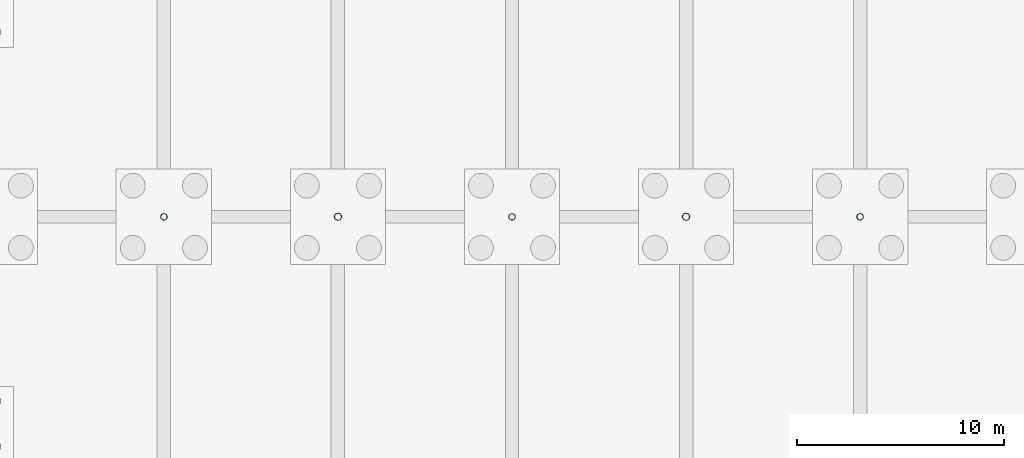
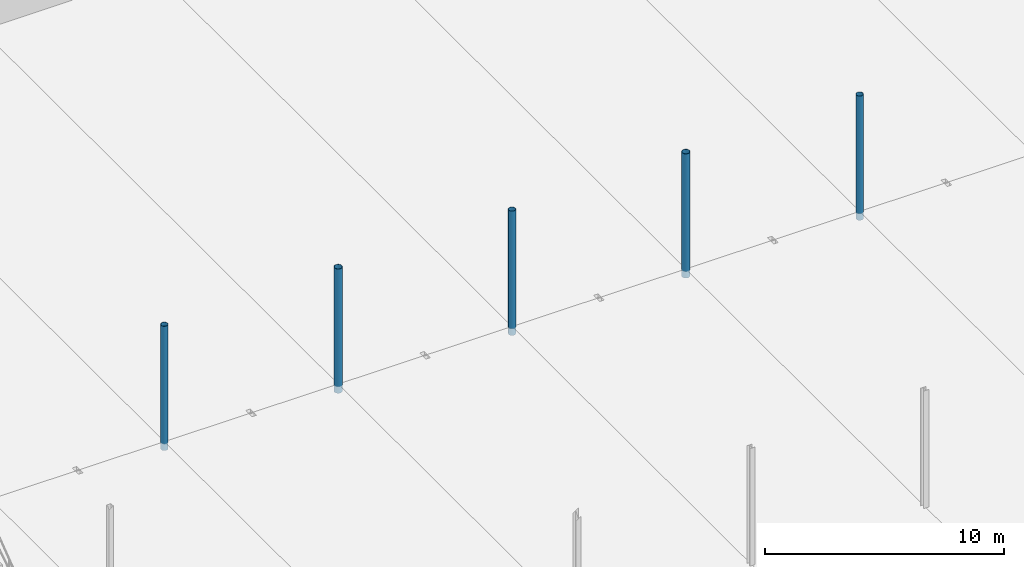
# One storey, part 29 of 139: 5 columns.
"""IFC4 building model written with IfcOpenShell, lengths in metres."""

from ifc_helpers import new_model, si_unit, direction, frame, origin, origin_2d, place, context, subcontext, project, spatial, hollow_circle, extrude, material, material_profile, profile_set, type_object, element, save


model = new_model("IFC4")

# Units and contexts
model_context = context("Model", 3, precision=1e-05, world=origin(), true_north=direction((0.0, 1.0)))
body_context = subcontext(model_context, "Body", "Model", "MODEL_VIEW")
ifc_project = project(units=[si_unit("LENGTHUNIT", "METRE"), si_unit("AREAUNIT", "SQUARE_METRE"), si_unit("VOLUMEUNIT", "CUBIC_METRE"), si_unit("PLANEANGLEUNIT", "RADIAN"), si_unit("MASSUNIT", "GRAM", prefix="KILO")], contexts=[model_context])

# Site, building, storey
site_placement = place(None, origin())
site = spatial("IfcSite", under=ifc_project, at=site_placement, CompositionType="ELEMENT")
building_placement = place(site_placement, origin())
building = spatial("IfcBuilding", under=site, at=building_placement, Name="Kazenagashi Tramway Depot", CompositionType="ELEMENT")
storey_placement = place(building_placement, origin())
storey = spatial("IfcBuildingStorey", under=building, at=storey_placement, Name="L01", CompositionType="ELEMENT", Elevation=0.0)

# Columns
ifc_material = material(Name="Steel STK490", Category="steel")
ifc_material_profile_1 = material_profile(ifc_material, hollow_circle(Radius=0.1778, WallThickness=0.0127, at=origin_2d()), Name="CHS-355.6x12.7")
ifc_profile_set_1 = profile_set([ifc_material_profile_1], Name="Steel STK490")
column_type_1 = type_object("IfcColumnType", Name="C-13", PredefinedType="COLUMN", material=ifc_profile_set_1)
for number, where, z_axis, x_axis, name in (
    (1, (78.4, 100.0, -0.35), (0.0, 0.0, 1.0), (1.0, 0.0, 0.0), "Column C-13 COL-0027"),
    (2, (95.2, 100.0, -0.35), (0.0, 0.0, 1.0), (1.0, 0.0, 0.0), "Column C-13 COL-0039"),
):
    element("IfcColumn", number, at=place(storey_placement, frame(where, z_axis=z_axis, x_axis=x_axis)), inside=storey, type_object=column_type_1, Name=name, PredefinedType="COLUMN", context=body_context, shape_type="SweptSolid", body=[
        extrude(hollow_circle(Radius=0.1778, WallThickness=0.0127, at=origin_2d()), origin(), (0.0, 0.0, 1.0), 6.35),
    ])
ifc_material_profile_2 = material_profile(ifc_material, hollow_circle(Radius=0.15925, WallThickness=0.0103, at=origin_2d()), Name="CHS-318.5x10.3")
ifc_profile_set_2 = profile_set([ifc_material_profile_2], Name="Steel STK490")
column_type_2 = type_object("IfcColumnType", Name="C-18", PredefinedType="COLUMN", material=ifc_profile_set_2)
for number, where, z_axis, x_axis, name in (
    (3, (70.0, 100.0, -0.35), (0.0, 0.0, 1.0), (1.0, 0.0, 0.0), "Column C-18 COL-0021"),
    (4, (86.8, 100.0, -0.35), (0.0, 0.0, 1.0), (1.0, 0.0, 0.0), "Column C-18 COL-0033"),
    (5, (103.6, 100.0, -0.35), (0.0, 0.0, 1.0), (1.0, 0.0, 0.0), "Column C-18 COL-0045"),
):
    element("IfcColumn", number, at=place(storey_placement, frame(where, z_axis=z_axis, x_axis=x_axis)), inside=storey, type_object=column_type_2, Name=name, PredefinedType="COLUMN", context=body_context, shape_type="SweptSolid", body=[
        extrude(hollow_circle(Radius=0.15925, WallThickness=0.0103, at=origin_2d()), origin(), (0.0, 0.0, 1.0), 6.35),
    ])

save(model, "model.ifc")
